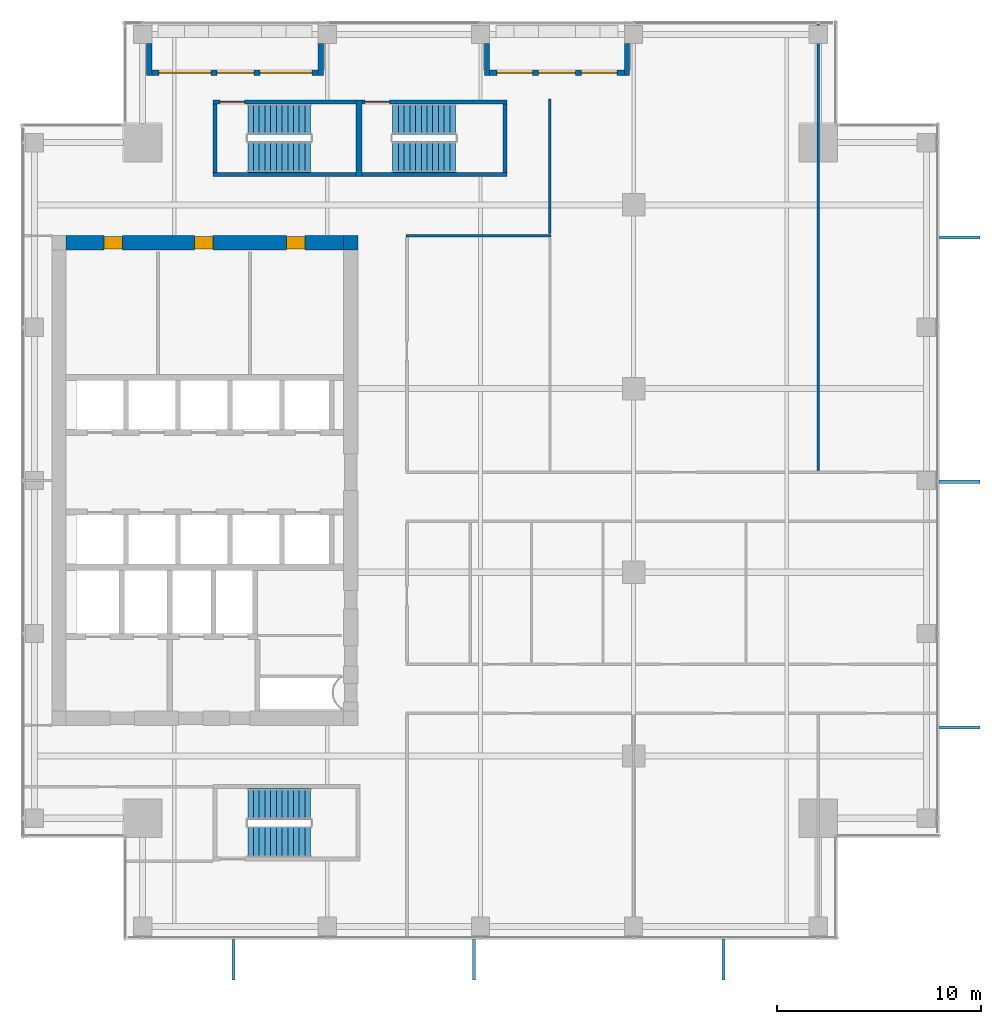
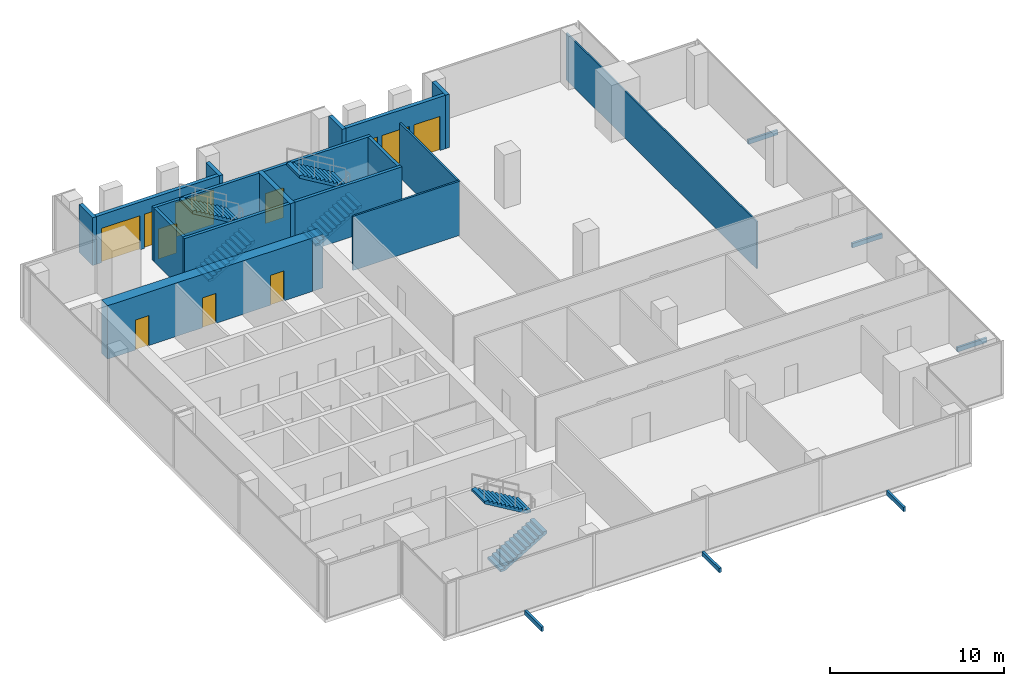
# One storey, part 32 of 34: 18 walls, 7 doors, 6 discrete accessories, 6 stair flights, 4 windows, 11 openings, 3 elements without a shape of their own.
"""IFC4 building model written with IfcOpenShell, lengths in metres."""

from ifc_helpers import new_model, si_unit, direction, frame, frame_2d, origin, origin_2d, place, context, subcontext, project, spatial, polyline, rectangle, outline, extrude, source, transform, mapped, material, layer, layer_set, type_object, element, fill, aggregate, save


model = new_model("IFC4")

# Units and contexts
model_context = context("Model", 3, precision=1e-05, world=origin(), true_north=direction((0.0, 1.0)))
body_context = subcontext(model_context, "Body", "Model", "MODEL_VIEW")
ifc_project = project(units=[si_unit("LENGTHUNIT", "METRE"), si_unit("AREAUNIT", "SQUARE_METRE"), si_unit("VOLUMEUNIT", "CUBIC_METRE"), si_unit("PLANEANGLEUNIT", "RADIAN"), si_unit("MASSUNIT", "GRAM", prefix="KILO")], contexts=[model_context])

# Site, building, storey
site_placement = place(None, origin())
site = spatial("IfcSite", under=ifc_project, at=site_placement, CompositionType="ELEMENT")
building_placement = place(site_placement, origin())
building = spatial("IfcBuilding", under=site, at=building_placement, Name="Khomas Fold Tower", CompositionType="ELEMENT")
storey_placement = place(building_placement, frame((0.0, 0.0, 242.199951171875)))
storey = spatial("IfcBuildingStorey", under=building, at=storey_placement, Name="L54", CompositionType="ELEMENT", Elevation=242.199951171875)

# Wall, opening, door
ifc_material_1 = material(Name="Concrete C50/60", Category="concrete")
ifc_layer_1 = layer(ifc_material_1, 0.199951171875)
ifc_layer_set_1 = layer_set([ifc_layer_1], Name="Concrete C50/60")
wall_type_1 = type_object("IfcWallType", Name="Stair wall 200", PredefinedType="SHEAR", material=ifc_layer_set_1)
shared_shape_1 = source(origin(), body_context, "Body", "SweptSolid", [
    extrude(rectangle(XDim=7.0, YDim=0.199951171875, at=frame_2d((3.5, 0.0))), origin(), (0.0, 0.0, 1.0), 3.75),
])
wall_1_placement = place(storey_placement, frame((13.89990234375, 45.550048828125, 0.0), z_axis=(0.0, 0.0, 1.0), x_axis=(1.0, 0.0, 0.0)))
wall_1 = element("IfcWall", 1, at=wall_1_placement, inside=storey, type_object=wall_type_1, Name="Stair wall SW-ST1-N", PredefinedType="SHEAR", context=body_context, shape_type="MappedRepresentation", body=[
    mapped(shared_shape_1, transform((0.0, 0.0, 0.0))),
])
shared_shape_2 = source(origin(), body_context, "Body", "SweptSolid", [
    extrude(rectangle(XDim=1.199951171875, YDim=2.10009765625, at=frame_2d((0.60009765625, 1.050048828125))), frame((0.0, 0.10986328125, 0.0), z_axis=(0.0, -1.0, 0.0), x_axis=(1.0, 0.0, 0.0)), (0.0, 0.0, 1.0), 0.219970703125),
])
opening_1_placement = place(wall_1_placement, frame((0.35009765625, 0.0, 0.0)))
opening_1 = element("IfcOpeningElement", 2, at=opening_1_placement, cuts=wall_1, Name="Opening SD-ST1", PredefinedType="OPENING", context=body_context, shape_type="MappedRepresentation", body=[
    mapped(shared_shape_2, transform((0.0, 0.0, 0.0))),
])
ifc_material_2 = material(Name="Steel door leaf", Category="steel")
door_type_1 = type_object("IfcDoorType", Name="Stair door 1200x2100 left-hand", OperationType="SINGLE_SWING_LEFT", PredefinedType="DOOR", material=ifc_material_2)
shared_shape_3 = source(origin(), body_context, "Body", "SweptSolid", [
    extrude(rectangle(XDim=1.199951171875, YDim=2.10009765625, at=frame_2d((0.60009765625, 1.050048828125))), frame((0.0, 0.02490234375, 0.0), z_axis=(0.0, -1.0, 0.0), x_axis=(1.0, 0.0, 0.0)), (0.0, 0.0, 1.0), 0.050048828125),
])
door_1_placement = place(opening_1_placement, origin())
door_1 = element("IfcDoor", 3, at=door_1_placement, inside=storey, type_object=door_type_1, Name="Stair door", OperationType="SINGLE_SWING_LEFT", OverallHeight=2.10009765625, OverallWidth=1.199951171875, PredefinedType="DOOR", context=body_context, shape_type="MappedRepresentation", body=[
    mapped(shared_shape_3, transform((0.0, 0.0, 0.0))),
])
fill(opening_1, door_1)

# Wall
wall_2_placement = place(storey_placement, frame((13.89990234375, 42.0, 0.0), z_axis=(0.0, 0.0, 1.0), x_axis=(1.0, 0.0, 0.0)))
element("IfcWall", 4, at=wall_2_placement, inside=storey, type_object=wall_type_1, Name="Stair wall SW-ST1-S", PredefinedType="SHEAR", context=body_context, shape_type="MappedRepresentation", body=[
    mapped(shared_shape_1, transform((0.0, 0.0, 0.0))),
])

# Wall, opening, door
shared_shape_4 = source(origin(), body_context, "Body", "SweptSolid", [
    extrude(rectangle(XDim=7.10009765625, YDim=0.199951171875, at=frame_2d((3.550048828125, 0.0))), origin(), (0.0, 0.0, 1.0), 3.75),
])
wall_3_placement = place(storey_placement, frame((21.199951171875, 45.550048828125, 0.0), z_axis=(0.0, 0.0, 1.0), x_axis=(1.0, 0.0, 0.0)))
wall_3 = element("IfcWall", 5, at=wall_3_placement, inside=storey, type_object=wall_type_1, Name="Stair wall SW-ST3-N", PredefinedType="SHEAR", context=body_context, shape_type="MappedRepresentation", body=[
    mapped(shared_shape_4, transform((0.0, 0.0, 0.0))),
])
opening_2_placement = place(wall_3_placement, frame((0.14990234375, 0.0, 0.0)))
opening_2 = element("IfcOpeningElement", 6, at=opening_2_placement, cuts=wall_3, Name="Opening SD-ST3", PredefinedType="OPENING", context=body_context, shape_type="MappedRepresentation", body=[
    mapped(shared_shape_2, transform((0.0, 0.0, 0.0))),
])
door_2_placement = place(opening_2_placement, origin())
door_2 = element("IfcDoor", 7, at=door_2_placement, inside=storey, type_object=door_type_1, Name="Stair door", OperationType="SINGLE_SWING_LEFT", OverallHeight=2.10009765625, OverallWidth=1.199951171875, PredefinedType="DOOR", context=body_context, shape_type="MappedRepresentation", body=[
    mapped(shared_shape_3, transform((0.0, 0.0, 0.0))),
])
fill(opening_2, door_2)

# Walls
wall_4_placement = place(storey_placement, frame((21.199951171875, 42.0, 0.0), z_axis=(0.0, 0.0, 1.0), x_axis=(1.0, 0.0, 0.0)))
element("IfcWall", 8, at=wall_4_placement, inside=storey, type_object=wall_type_1, Name="Stair wall SW-ST3-S", PredefinedType="SHEAR", context=body_context, shape_type="MappedRepresentation", body=[
    mapped(shared_shape_4, transform((0.0, 0.0, 0.0))),
])
ifc_material_3 = material(Name="Concrete C50/60", Category="concrete")
ifc_layer_2 = layer(ifc_material_3, 0.300048828125)
ifc_layer_set_2 = layer_set([ifc_layer_2], Name="Concrete C50/60")
wall_type_2 = type_object("IfcWallType", Name="Stair wall 300", PredefinedType="SHEAR", material=ifc_layer_set_2)
shared_shape_5 = source(origin(), body_context, "Body", "SweptSolid", [
    extrude(rectangle(XDim=3.75, YDim=0.300048828125, at=frame_2d((1.875, 0.0))), origin(), (0.0, 0.0, 1.0), 3.75),
])
wall_5_placement = place(storey_placement, frame((21.050048828125, 41.89990234375, 0.0), z_axis=(0.0, 0.0, 1.0), x_axis=(0.0, 1.0, 0.0)))
element("IfcWall", 9, at=wall_5_placement, inside=storey, type_object=wall_type_2, Name="Stair wall SW-ST1-E", PredefinedType="SHEAR", context=body_context, shape_type="MappedRepresentation", body=[
    mapped(shared_shape_5, transform((0.0, 0.0, 0.0))),
])
shared_shape_6 = source(origin(), body_context, "Body", "SweptSolid", [
    extrude(rectangle(XDim=3.349853515625, YDim=0.199951171875, at=frame_2d((1.6748046875, 0.0))), origin(), (0.0, 0.0, 1.0), 3.75),
])
for number, where, z_axis, x_axis, name in (
    (10, (14.0, 42.10009765625, 0.0), (0.0, 0.0, 1.0), (0.0, 1.0, 0.0), "Stair wall SW-ST1-W"),
    (11, (28.199951171875, 42.10009765625, 0.0), (0.0, 0.0, 1.0), (0.0, 1.0, 0.0), "Stair wall SW-ST3-E"),
):
    element("IfcWall", number, at=place(storey_placement, frame(where, z_axis=z_axis, x_axis=x_axis)), inside=storey, type_object=wall_type_1, Name=name, PredefinedType="SHEAR", context=body_context, shape_type="MappedRepresentation", body=[
        mapped(shared_shape_6, transform((0.0, 0.0, 0.0))),
    ])

# Wall, openings, doors
ifc_material_4 = material(Name="Concrete C60/75", Category="concrete")
ifc_layer_3 = layer(ifc_material_4, 0.699951171875)
ifc_layer_set_3 = layer_set([ifc_layer_3], Name="Concrete C60/75")
wall_type_3 = type_object("IfcWallType", Name="Core wall 700", PredefinedType="SHEAR", material=ifc_layer_set_3)
shared_shape_7 = source(origin(), body_context, "Body", "SweptSolid", [
    extrude(rectangle(XDim=13.60009765625, YDim=0.699951171875, at=frame_2d((6.800048828125, 0.0))), origin(), (0.0, 0.0, 1.0), 3.75),
])
wall_6_placement = place(storey_placement, frame((6.699951171875, 38.64990234375, 0.0), z_axis=(0.0, 0.0, 1.0), x_axis=(1.0, 0.0, 0.0)))
wall_6 = element("IfcWall", 12, at=wall_6_placement, inside=storey, type_object=wall_type_3, Name="Core wall CW-U-N-L49", PredefinedType="SHEAR", context=body_context, shape_type="MappedRepresentation", body=[
    mapped(shared_shape_7, transform((0.0, 0.0, 0.0))),
])
shared_shape_8 = source(origin(), body_context, "Body", "SweptSolid", [
    extrude(rectangle(XDim=0.89990234375, YDim=2.10009765625, at=frame_2d((0.449951171875, 1.050048828125))), frame((0.0, 0.35986328125, 0.0), z_axis=(0.0, -1.0, 0.0), x_axis=(1.0, 0.0, 0.0)), (0.0, 0.0, 1.0), 0.719970703125),
])
opening_3_placement = place(wall_6_placement, frame((1.85009765625, 0.0, 0.0)))
opening_3 = element("IfcOpeningElement", 13, at=opening_3_placement, cuts=wall_6, Name="Opening 0003", PredefinedType="OPENING", context=body_context, shape_type="MappedRepresentation", body=[
    mapped(shared_shape_8, transform((0.0, 0.0, 0.0))),
])
opening_4_placement = place(wall_6_placement, frame((6.300048828125, 0.0, 0.0)))
opening_4 = element("IfcOpeningElement", 14, at=opening_4_placement, cuts=wall_6, Name="Opening 0003", PredefinedType="OPENING", context=body_context, shape_type="MappedRepresentation", body=[
    mapped(shared_shape_8, transform((0.0, 0.0, 0.0))),
])
opening_5_placement = place(wall_6_placement, frame((10.800048828125, 0.0, 0.0)))
opening_5 = element("IfcOpeningElement", 15, at=opening_5_placement, cuts=wall_6, Name="Opening 0008", PredefinedType="OPENING", context=body_context, shape_type="MappedRepresentation", body=[
    mapped(shared_shape_8, transform((0.0, 0.0, 0.0))),
])
ifc_material_5 = material(Name="Steel door leaf", Category="steel")
door_type_2 = type_object("IfcDoorType", Name="Plant room door 900x2100 right-hand", OperationType="SINGLE_SWING_RIGHT", PredefinedType="DOOR", material=ifc_material_5)
shared_shape_9 = source(origin(), body_context, "Body", "SweptSolid", [
    extrude(rectangle(XDim=0.89990234375, YDim=2.10009765625, at=frame_2d((0.449951171875, 1.050048828125))), frame((0.0, 0.2998046875, 0.0), z_axis=(0.0, -1.0, 0.0), x_axis=(1.0, 0.0, 0.0)), (0.0, 0.0, 1.0), 0.599853515625),
])
door_3_placement = place(opening_3_placement, origin())
door_3 = element("IfcDoor", 16, at=door_3_placement, inside=storey, type_object=door_type_2, Name="Plant room door", OperationType="SINGLE_SWING_RIGHT", OverallHeight=2.10009765625, OverallWidth=0.89990234375, PredefinedType="DOOR", context=body_context, shape_type="MappedRepresentation", body=[
    mapped(shared_shape_9, transform((0.0, 0.0, 0.0))),
])
fill(opening_3, door_3)
door_4_placement = place(opening_4_placement, origin())
door_4 = element("IfcDoor", 17, at=door_4_placement, inside=storey, type_object=door_type_2, Name="Plant room door", OperationType="SINGLE_SWING_RIGHT", OverallHeight=2.10009765625, OverallWidth=0.89990234375, PredefinedType="DOOR", context=body_context, shape_type="MappedRepresentation", body=[
    mapped(shared_shape_9, transform((0.0, 0.0, 0.0))),
])
fill(opening_4, door_4)
ifc_material_6 = material(Name="Timber door leaf", Category="wood")
door_type_3 = type_object("IfcDoorType", Name="Door 900x2100 right-hand", OperationType="SINGLE_SWING_RIGHT", PredefinedType="DOOR", material=ifc_material_6)
door_5_placement = place(opening_5_placement, origin())
door_5 = element("IfcDoor", 18, at=door_5_placement, inside=storey, type_object=door_type_3, Name="Door", OperationType="SINGLE_SWING_RIGHT", OverallHeight=2.10009765625, OverallWidth=0.89990234375, PredefinedType="DOOR", context=body_context, shape_type="MappedRepresentation", body=[
    mapped(shared_shape_9, transform((0.0, 0.0, 0.0))),
])
fill(opening_5, door_5)

# Wall
ifc_material_7 = material(Name="Concrete C60/75", Category="concrete")
ifc_layer_4 = layer(ifc_material_7, 0.699951171875)
ifc_layer_set_4 = layer_set([ifc_layer_4], Name="Concrete C60/75")
wall_type_4 = type_object("IfcWallType", Name="Core corner wall 700", PredefinedType="SHEAR", material=ifc_layer_set_4)
shared_shape_10 = source(origin(), body_context, "Body", "SweptSolid", [
    extrude(rectangle(XDim=0.699951171875, YDim=0.699951171875, at=frame_2d((0.35009765625, 0.0))), origin(), (0.0, 0.0, 1.0), 3.75),
])
wall_7_placement = place(storey_placement, frame((20.300048828125, 38.64990234375, 0.0), z_axis=(0.0, 0.0, 1.0), x_axis=(1.0, 0.0, 0.0)))
element("IfcWall", 19, at=wall_7_placement, inside=storey, type_object=wall_type_4, Name="Core wall CW-U-NE-L49", PredefinedType="SHEAR", context=body_context, shape_type="MappedRepresentation", body=[
    mapped(shared_shape_10, transform((0.0, 0.0, 0.0))),
])

# Wall, openings, door, windows
ifc_material_8 = material(Name="Natural stone", Category="masonry")
ifc_layer_5 = layer(ifc_material_8, 0.0400390625)
ifc_material_9 = material(Name="Mineral wool insulation", Category="insulation")
ifc_layer_6 = layer(ifc_material_9, 0.10009765625)
ifc_material_10 = material(Name="Masonry", Category="masonry")
ifc_layer_7 = layer(ifc_material_10, 0.110107421875)
ifc_layer_set_5 = layer_set([ifc_layer_5, ifc_layer_6, ifc_layer_7], Name="Stone-faced insulated masonry")
wall_type_5 = type_object("IfcWallType", Name="BL-Balcony wall", PredefinedType="SOLIDWALL", material=ifc_layer_set_5)
shared_shape_11 = source(origin(), body_context, "Body", "SweptSolid", [
    extrude(rectangle(XDim=8.150146484375, YDim=0.25, at=frame_2d((4.0751953125, 0.0))), origin(), (0.0, 0.0, 1.0), 3.35009765625),
])
wall_8_placement = place(storey_placement, frame((10.89990234375, 46.97509765625, 0.0), z_axis=(0.0, 0.0, 1.0), x_axis=(1.0, 0.0, 0.0)))
wall_8 = element("IfcWall", 20, at=wall_8_placement, inside=storey, type_object=wall_type_5, Name="Balcony wall BAL-L54-N1", PredefinedType="SOLIDWALL", context=body_context, shape_type="MappedRepresentation", body=[
    mapped(shared_shape_11, transform((0.0, 0.0, 0.0))),
])
shared_shape_12 = source(origin(), body_context, "Body", "SweptSolid", [
    extrude(rectangle(XDim=2.550048828125, YDim=2.39990234375, at=frame_2d((1.27490234375, 1.199951171875))), frame((0.0, 0.135009765625, 0.0), z_axis=(0.0, -1.0, 0.0), x_axis=(1.0, 0.0, 0.0)), (0.0, 0.0, 1.0), 0.27001953125),
])
opening_6_placement = place(wall_8_placement, frame((0.35009765625, 0.0, 0.0)))
opening_6 = element("IfcOpeningElement", 21, at=opening_6_placement, cuts=wall_8, Name="Opening BL-W4", PredefinedType="OPENING", context=body_context, shape_type="MappedRepresentation", body=[
    mapped(shared_shape_12, transform((0.0, 0.0, 0.0))),
])
opening_7_placement = place(wall_8_placement, frame((5.300048828125, 0.0, 0.0)))
opening_7 = element("IfcOpeningElement", 22, at=opening_7_placement, cuts=wall_8, Name="Opening BL-W4", PredefinedType="OPENING", context=body_context, shape_type="MappedRepresentation", body=[
    mapped(shared_shape_12, transform((0.0, 0.0, 0.0))),
])
shared_shape_13 = source(origin(), body_context, "Body", "SweptSolid", [
    extrude(rectangle(XDim=1.800048828125, YDim=2.39990234375, at=frame_2d((0.89990234375, 1.199951171875))), frame((0.0, 0.135009765625, 0.0), z_axis=(0.0, -1.0, 0.0), x_axis=(1.0, 0.0, 0.0)), (0.0, 0.0, 1.0), 0.27001953125),
])
opening_8_placement = place(wall_8_placement, frame((3.199951171875, 0.0, 0.0)))
opening_8 = element("IfcOpeningElement", 23, at=opening_8_placement, cuts=wall_8, Name="Opening BD542", PredefinedType="OPENING", context=body_context, shape_type="MappedRepresentation", body=[
    mapped(shared_shape_13, transform((0.0, 0.0, 0.0))),
])
ifc_material_11 = material(Name="Aluminium framed double glazing", Category="aluminium")
door_type_4 = type_object("IfcDoorType", Name="BL-Glazed balcony door 1800 x 2400", OperationType="DOUBLE_DOOR_DOUBLE_SWING", PredefinedType="DOOR", material=ifc_material_11)
shared_shape_14 = source(origin(), body_context, "Body", "SweptSolid", [
    extrude(rectangle(XDim=1.800048828125, YDim=2.39990234375, at=frame_2d((0.89990234375, 1.199951171875))), frame((0.0, 0.02490234375, 0.0), z_axis=(0.0, -1.0, 0.0), x_axis=(1.0, 0.0, 0.0)), (0.0, 0.0, 1.0), 0.050048828125),
])
door_6_placement = place(opening_8_placement, origin())
door_6 = element("IfcDoor", 24, at=door_6_placement, inside=storey, type_object=door_type_4, Name="Balcony door BD542", OperationType="DOUBLE_DOOR_DOUBLE_SWING", OverallHeight=2.39990234375, OverallWidth=1.800048828125, PredefinedType="DOOR", context=body_context, shape_type="MappedRepresentation", body=[
    mapped(shared_shape_14, transform((0.0, 0.0, 0.0))),
])
fill(opening_8, door_6)
ifc_material_12 = material(Name="Aluminium framed double glazing", Category="aluminium")
window_type_1 = type_object("IfcWindowType", Name="BL-Fixed glazing 2550 x 2400", PartitioningType="SINGLE_PANEL", PredefinedType="WINDOW", material=ifc_material_12)
shared_shape_15 = source(origin(), body_context, "Body", "SweptSolid", [
    extrude(rectangle(XDim=2.550048828125, YDim=2.39990234375, at=frame_2d((1.27490234375, 1.199951171875))), frame((0.0, 0.030029296875, 0.0), z_axis=(0.0, -1.0, 0.0), x_axis=(1.0, 0.0, 0.0)), (0.0, 0.0, 1.0), 0.06005859375),
])
window_1_placement = place(opening_6_placement, origin())
window_1 = element("IfcWindow", 25, at=window_1_placement, inside=storey, type_object=window_type_1, Name="Balcony glazing BAL-L54-N1-1", OverallHeight=2.39990234375, OverallWidth=2.550048828125, PartitioningType="SINGLE_PANEL", PredefinedType="WINDOW", context=body_context, shape_type="MappedRepresentation", body=[
    mapped(shared_shape_15, transform((0.0, 0.0, 0.0))),
])
fill(opening_6, window_1)
window_2_placement = place(opening_7_placement, origin())
window_2 = element("IfcWindow", 26, at=window_2_placement, inside=storey, type_object=window_type_1, Name="Balcony glazing BAL-L54-N1-2", OverallHeight=2.39990234375, OverallWidth=2.550048828125, PartitioningType="SINGLE_PANEL", PredefinedType="WINDOW", context=body_context, shape_type="MappedRepresentation", body=[
    mapped(shared_shape_15, transform((0.0, 0.0, 0.0))),
])
fill(opening_7, window_2)

# Walls
shared_shape_16 = source(origin(), body_context, "Body", "SweptSolid", [
    extrude(rectangle(XDim=1.5498046875, YDim=0.25, at=frame_2d((0.77490234375, 0.0))), origin(), (0.0, 0.0, 1.0), 3.35009765625),
])
for number, where, z_axis, x_axis, name in (
    (27, (10.77490234375, 48.39990234375, 0.0), (0.0, 0.0, 1.0), (0.0, -1.0, 0.0), "Balcony return wall BAL-L54-N1-lo"),
    (28, (19.175048828125, 48.39990234375, 0.0), (0.0, 0.0, 1.0), (0.0, -1.0, 0.0), "Balcony return wall BAL-L54-N1-hi"),
):
    element("IfcWall", number, at=place(storey_placement, frame(where, z_axis=z_axis, x_axis=x_axis)), inside=storey, type_object=wall_type_5, Name=name, PredefinedType="SOLIDWALL", context=body_context, shape_type="MappedRepresentation", body=[
        mapped(shared_shape_16, transform((0.0, 0.0, 0.0))),
    ])

# Wall, openings, door, windows
shared_shape_17 = source(origin(), body_context, "Body", "SweptSolid", [
    extrude(rectangle(XDim=6.60009765625, YDim=0.25, at=frame_2d((3.300048828125, 0.0))), origin(), (0.0, 0.0, 1.0), 3.75),
])
wall_9_placement = place(storey_placement, frame((27.449951171875, 46.97509765625, 0.0), z_axis=(0.0, 0.0, 1.0), x_axis=(1.0, 0.0, 0.0)))
wall_9 = element("IfcWall", 29, at=wall_9_placement, inside=storey, type_object=wall_type_5, Name="Balcony wall BAL-L54-N3", PredefinedType="SOLIDWALL", context=body_context, shape_type="MappedRepresentation", body=[
    mapped(shared_shape_17, transform((0.0, 0.0, 0.0))),
])
shared_shape_18 = source(origin(), body_context, "Body", "SweptSolid", [
    extrude(rectangle(XDim=1.75, YDim=2.39990234375, at=frame_2d((0.875, 1.199951171875))), frame((0.0, 0.135009765625, 0.0), z_axis=(0.0, -1.0, 0.0), x_axis=(1.0, 0.0, 0.0)), (0.0, 0.0, 1.0), 0.27001953125),
])
opening_9_placement = place(wall_9_placement, frame((0.35009765625, 0.0, 0.0)))
opening_9 = element("IfcOpeningElement", 30, at=opening_9_placement, cuts=wall_9, Name="Opening BL-W3", PredefinedType="OPENING", context=body_context, shape_type="MappedRepresentation", body=[
    mapped(shared_shape_18, transform((0.0, 0.0, 0.0))),
])
opening_10_placement = place(wall_9_placement, frame((4.5, 0.0, 0.0)))
opening_10 = element("IfcOpeningElement", 31, at=opening_10_placement, cuts=wall_9, Name="Opening BL-W3", PredefinedType="OPENING", context=body_context, shape_type="MappedRepresentation", body=[
    mapped(shared_shape_18, transform((0.0, 0.0, 0.0))),
])
opening_11_placement = place(wall_9_placement, frame((2.39990234375, 0.0, 0.0)))
opening_11 = element("IfcOpeningElement", 32, at=opening_11_placement, cuts=wall_9, Name="Opening BD541", PredefinedType="OPENING", context=body_context, shape_type="MappedRepresentation", body=[
    mapped(shared_shape_13, transform((0.0, 0.0, 0.0))),
])
door_7_placement = place(opening_11_placement, origin())
door_7 = element("IfcDoor", 33, at=door_7_placement, inside=storey, type_object=door_type_4, Name="Balcony door BD541", OperationType="DOUBLE_DOOR_DOUBLE_SWING", OverallHeight=2.39990234375, OverallWidth=1.800048828125, PredefinedType="DOOR", context=body_context, shape_type="MappedRepresentation", body=[
    mapped(shared_shape_14, transform((0.0, 0.0, 0.0))),
])
fill(opening_11, door_7)
ifc_material_13 = material(Name="Aluminium framed double glazing", Category="aluminium")
window_type_2 = type_object("IfcWindowType", Name="BL-Fixed glazing 1750 x 2400", PartitioningType="SINGLE_PANEL", PredefinedType="WINDOW", material=ifc_material_13)
shared_shape_19 = source(origin(), body_context, "Body", "SweptSolid", [
    extrude(rectangle(XDim=1.75, YDim=2.39990234375, at=frame_2d((0.875, 1.199951171875))), frame((0.0, 0.030029296875, 0.0), z_axis=(0.0, -1.0, 0.0), x_axis=(1.0, 0.0, 0.0)), (0.0, 0.0, 1.0), 0.06005859375),
])
window_3_placement = place(opening_9_placement, origin())
window_3 = element("IfcWindow", 34, at=window_3_placement, inside=storey, type_object=window_type_2, Name="Balcony glazing BAL-L54-N3-1", OverallHeight=2.39990234375, OverallWidth=1.75, PartitioningType="SINGLE_PANEL", PredefinedType="WINDOW", context=body_context, shape_type="MappedRepresentation", body=[
    mapped(shared_shape_19, transform((0.0, 0.0, 0.0))),
])
fill(opening_9, window_3)
window_4_placement = place(opening_10_placement, origin())
window_4 = element("IfcWindow", 35, at=window_4_placement, inside=storey, type_object=window_type_2, Name="Balcony glazing BAL-L54-N3-2", OverallHeight=2.39990234375, OverallWidth=1.75, PartitioningType="SINGLE_PANEL", PredefinedType="WINDOW", context=body_context, shape_type="MappedRepresentation", body=[
    mapped(shared_shape_19, transform((0.0, 0.0, 0.0))),
])
fill(opening_10, window_4)

# Walls
shared_shape_20 = source(origin(), body_context, "Body", "SweptSolid", [
    extrude(rectangle(XDim=1.5498046875, YDim=0.25, at=frame_2d((0.77490234375, 0.0))), origin(), (0.0, 0.0, 1.0), 3.75),
])
for number, where, z_axis, x_axis, name in (
    (36, (27.324951171875, 48.39990234375, 0.0), (0.0, 0.0, 1.0), (0.0, -1.0, 0.0), "Balcony return wall BAL-L54-N3-lo"),
    (37, (34.175048828125, 48.39990234375, 0.0), (0.0, 0.0, 1.0), (0.0, -1.0, 0.0), "Balcony return wall BAL-L54-N3-hi"),
):
    element("IfcWall", number, at=place(storey_placement, frame(where, z_axis=z_axis, x_axis=x_axis)), inside=storey, type_object=wall_type_5, Name=name, PredefinedType="SOLIDWALL", context=body_context, shape_type="MappedRepresentation", body=[
        mapped(shared_shape_20, transform((0.0, 0.0, 0.0))),
    ])
ifc_material_14 = material(Name="Plasterboard partition")
ifc_layer_8 = layer(ifc_material_14, 0.10009765625)
ifc_layer_set_6 = layer_set([ifc_layer_8], Name="Plasterboard partition")
wall_type_6 = type_object("IfcWallType", Name="Partition PW1 100", PredefinedType="PARTITIONING", material=ifc_layer_set_6)
shared_shape_21 = source(origin(), body_context, "Body", "SweptSolid", [
    extrude(rectangle(XDim=21.85009765625, YDim=0.10009765625, at=frame_2d((10.925048828125, 0.0))), origin(), (0.0, 0.0, 1.0), 3.300048828125),
])
wall_10_placement = place(storey_placement, frame((43.550048828125, 27.5, 0.0), z_axis=(0.0, 0.0, 1.0), x_axis=(0.0, 1.0, 0.0)))
element("IfcWall", 38, at=wall_10_placement, inside=storey, type_object=wall_type_6, Name="Partition", PredefinedType="PARTITIONING", context=body_context, shape_type="MappedRepresentation", body=[
    mapped(shared_shape_21, transform((0.0, 0.0, 0.0))),
])
ifc_material_15 = material(Name="Plasterboard partition")
ifc_layer_9 = layer(ifc_material_15, 0.125)
ifc_layer_set_7 = layer_set([ifc_layer_9], Name="Plasterboard partition")
wall_type_7 = type_object("IfcWallType", Name="Partition PW2 125", PredefinedType="PARTITIONING", material=ifc_layer_set_7)
shared_shape_22 = source(origin(), body_context, "Body", "SweptSolid", [
    extrude(rectangle(XDim=7.099853515625, YDim=0.125, at=frame_2d((3.5498046875, 0.0))), origin(), (0.0, 0.0, 1.0), 3.800048828125),
])
wall_11_placement = place(storey_placement, frame((23.35009765625, 39.0, 0.0), z_axis=(0.0, 0.0, 1.0), x_axis=(1.0, 0.0, 0.0)))
element("IfcWall", 39, at=wall_11_placement, inside=storey, type_object=wall_type_7, Name="Partition", PredefinedType="PARTITIONING", context=body_context, shape_type="MappedRepresentation", body=[
    mapped(shared_shape_22, transform((0.0, 0.0, 0.0))),
])
shared_shape_23 = source(origin(), body_context, "Body", "SweptSolid", [
    extrude(rectangle(XDim=6.599853515625, YDim=0.125, at=frame_2d((3.2998046875, 0.0))), origin(), (0.0, 0.0, 1.0), 3.800048828125),
])
wall_12_placement = place(storey_placement, frame((30.39990234375, 39.10009765625, 0.0), z_axis=(0.0, 0.0, 1.0), x_axis=(0.0, 1.0, 0.0)))
element("IfcWall", 40, at=wall_12_placement, inside=storey, type_object=wall_type_7, Name="Partition", PredefinedType="PARTITIONING", context=body_context, shape_type="MappedRepresentation", body=[
    mapped(shared_shape_23, transform((0.0, 0.0, 0.0))),
])

# Stair, stair flights
ifc_material_16 = material(Name="Concrete C40/50", Category="concrete")
stair_type_1 = type_object("IfcStairType", Name="Stair ST1", PredefinedType="HALF_TURN_STAIR", material=ifc_material_16)
stair_1_placement = place(storey_placement, origin())
stair_1 = element("IfcStair", 41, at=stair_1_placement, inside=storey, type_object=stair_type_1, Name="L54 ST1", PredefinedType="HALF_TURN_STAIR")
ifc_material_17 = material(Name="Concrete C40/50", Category="concrete")
stair_flight_type_1 = type_object("IfcStairFlightType", Name="Stair flight 1500 ST1", PredefinedType="STRAIGHT", material=ifc_material_17)
shared_shape_24 = source(origin(), body_context, "Body", "SweptSolid", [
    extrude(outline(polyline([(0.0, 0.0), (0.0, 0.012939453125), (0.0, 0.025634765625), (0.0, 0.03857421875), (0.0, 0.05126953125), (0.0, 0.064208984375), (0.0, 0.076904296875), (0.0, 0.08984375), (0.0, 0.1025390625), (0.0, 0.115478515625), (0.0, 0.128173828125), (0.0, 0.14111328125), (0.0, 0.15380859375), (0.0, 0.166748046875), (0.280029296875, 0.166748046875), (0.280029296875, 0.333251953125), (0.56005859375, 0.333251953125), (0.56005859375, 0.5), (0.840087890625, 0.5), (0.840087890625, 0.666748046875), (1.1201171875, 0.666748046875), (1.1201171875, 0.833251953125), (1.39990234375, 0.833251953125), (1.39990234375, 1.0), (1.679931640625, 1.0), (1.679931640625, 1.166748046875), (1.9599609375, 1.166748046875), (1.9599609375, 1.333251953125), (2.239990234375, 1.333251953125), (2.239990234375, 1.5), (2.52001953125, 1.5), (2.52001953125, 1.666748046875), (2.800048828125, 1.666748046875), (2.800048828125, 1.833251953125), (3.080078125, 1.833251953125), (3.080078125, 2.0), (3.080078125, 1.973876953125), (3.080078125, 1.947509765625), (3.080078125, 1.92138671875), (3.080078125, 1.89501953125), (3.080078125, 1.868896484375), (3.080078125, 1.842529296875), (3.080078125, 1.81640625), (3.080078125, 1.7900390625), (3.080078125, 1.763916015625), (3.080078125, 1.737548828125), (3.080078125, 1.71142578125), (3.080078125, 1.68505859375), (3.080078125, 1.658935546875), (0.29296875, 0.0), (0.0, 0.0)])), frame((0.0, 0.75, 0.0), z_axis=(0.0, -1.0, 0.0), x_axis=(1.0, 0.0, 0.0)), (0.0, 0.0, 1.0), 1.5),
])
stair_flight_1_placement = place(storey_placement, frame((15.60009765625, 42.85009765625, 0.0), z_axis=(0.0, 0.0, 1.0), x_axis=(1.0, 0.0, 0.0)))
stair_flight_1 = element("IfcStairFlight", 42, at=stair_flight_1_placement, type_object=stair_flight_type_1, Name="ST1 flight 1", NumberOfRisers=12, NumberOfTreads=11, PredefinedType="STRAIGHT", RiserHeight=0.166666667, TreadLength=0.28, context=body_context, shape_type="MappedRepresentation", body=[
    mapped(shared_shape_24, transform((0.0, 0.0, 0.0))),
])
stair_flight_2_placement = place(storey_placement, frame((18.679931640625, 44.699951171875, 2.0), z_axis=(0.0, 0.0, 1.0), x_axis=(-1.0, 0.0, 0.0)))
stair_flight_2 = element("IfcStairFlight", 43, at=stair_flight_2_placement, type_object=stair_flight_type_1, Name="ST1 flight 2", NumberOfRisers=12, NumberOfTreads=11, PredefinedType="STRAIGHT", RiserHeight=0.166666667, TreadLength=0.28, context=body_context, shape_type="MappedRepresentation", body=[
    mapped(shared_shape_24, transform((0.0, 0.0, 0.0))),
])
aggregate(stair_1, [stair_flight_1, stair_flight_2])

ifc_material_18 = material(Name="Concrete C40/50", Category="concrete")
stair_type_2 = type_object("IfcStairType", Name="Stair ST2", PredefinedType="HALF_TURN_STAIR", material=ifc_material_18)
stair_2_placement = place(storey_placement, origin())
stair_2 = element("IfcStair", 44, at=stair_2_placement, inside=storey, type_object=stair_type_2, Name="L54 ST2", PredefinedType="HALF_TURN_STAIR")
ifc_material_19 = material(Name="Concrete C40/50", Category="concrete")
stair_flight_type_2 = type_object("IfcStairFlightType", Name="Stair flight 1500 ST2", PredefinedType="STRAIGHT", material=ifc_material_19)
stair_flight_3_placement = place(storey_placement, frame((15.60009765625, 9.300048828125, 0.0), z_axis=(0.0, 0.0, 1.0), x_axis=(1.0, 0.0, 0.0)))
stair_flight_3 = element("IfcStairFlight", 45, at=stair_flight_3_placement, type_object=stair_flight_type_2, Name="ST2 flight 1", NumberOfRisers=12, NumberOfTreads=11, PredefinedType="STRAIGHT", RiserHeight=0.166666667, TreadLength=0.28, context=body_context, shape_type="MappedRepresentation", body=[
    mapped(shared_shape_24, transform((0.0, 0.0, 0.0))),
])
stair_flight_4_placement = place(storey_placement, frame((18.679931640625, 11.14990234375, 2.0), z_axis=(0.0, 0.0, 1.0), x_axis=(-1.0, 0.0, 0.0)))
stair_flight_4 = element("IfcStairFlight", 46, at=stair_flight_4_placement, type_object=stair_flight_type_2, Name="ST2 flight 2", NumberOfRisers=12, NumberOfTreads=11, PredefinedType="STRAIGHT", RiserHeight=0.166666667, TreadLength=0.28, context=body_context, shape_type="MappedRepresentation", body=[
    mapped(shared_shape_24, transform((0.0, 0.0, 0.0))),
])
aggregate(stair_2, [stair_flight_3, stair_flight_4])

ifc_material_20 = material(Name="Concrete C40/50", Category="concrete")
stair_type_3 = type_object("IfcStairType", Name="Stair ST3", PredefinedType="HALF_TURN_STAIR", material=ifc_material_20)
stair_3_placement = place(storey_placement, origin())
stair_3 = element("IfcStair", 47, at=stair_3_placement, inside=storey, type_object=stair_type_3, Name="L54 ST3", PredefinedType="HALF_TURN_STAIR")
ifc_material_21 = material(Name="Concrete C40/50", Category="concrete")
stair_flight_type_3 = type_object("IfcStairFlightType", Name="Stair flight 1500 ST3", PredefinedType="STRAIGHT", material=ifc_material_21)
stair_flight_5_placement = place(storey_placement, frame((22.699951171875, 42.85009765625, 0.0), z_axis=(0.0, 0.0, 1.0), x_axis=(1.0, 0.0, 0.0)))
stair_flight_5 = element("IfcStairFlight", 48, at=stair_flight_5_placement, type_object=stair_flight_type_3, Name="ST3 flight 1", NumberOfRisers=12, NumberOfTreads=11, PredefinedType="STRAIGHT", RiserHeight=0.166666667, TreadLength=0.28, context=body_context, shape_type="MappedRepresentation", body=[
    mapped(shared_shape_24, transform((0.0, 0.0, 0.0))),
])
stair_flight_6_placement = place(storey_placement, frame((25.780029296875, 44.699951171875, 2.0), z_axis=(0.0, 0.0, 1.0), x_axis=(-1.0, 0.0, 0.0)))
stair_flight_6 = element("IfcStairFlight", 49, at=stair_flight_6_placement, type_object=stair_flight_type_3, Name="ST3 flight 2", NumberOfRisers=12, NumberOfTreads=11, PredefinedType="STRAIGHT", RiserHeight=0.166666667, TreadLength=0.28, context=body_context, shape_type="MappedRepresentation", body=[
    mapped(shared_shape_24, transform((0.0, 0.0, 0.0))),
])
aggregate(stair_3, [stair_flight_5, stair_flight_6])

# Discrete accessories
ifc_material_22 = material(Name="Stainless steel", Category="steel")
discrete_accessory_type = type_object("IfcDiscreteAccessoryType", Name="SK-Stainless steel stone bracket", PredefinedType="BRACKET", material=ifc_material_22)
shared_shape_25 = source(origin(), body_context, "Body", "SweptSolid", [
    extrude(rectangle(XDim=1.974609375, YDim=0.14990234375, at=origin_2d()), origin(), (0.0, 0.0, 1.0), 0.31005859375),
])
for number, where, z_axis, x_axis, name in (
    (50, (14.898193359375, 3.5126953125, -0.25), (0.0, 0.0, 1.0), (0.0, -1.0, 0.0), "Stone bracket L54 SS03-1-2"),
    (51, (26.675048828125, 3.5126953125, -0.25), (0.0, 0.0, 1.0), (0.0, -1.0, 0.0), "Stone bracket L54 SS06-2-2"),
    (52, (38.90234375, 3.5126953125, -0.25), (0.0, 0.0, 1.0), (0.0, -1.0, 0.0), "Stone bracket L54 SS09-3-2"),
    (53, (50.4873046875, 14.898193359375, -0.25), (0.0, 0.0, 1.0), (1.0, 0.0, 0.0), "Stone bracket L54 ES03-1-2"),
    (54, (50.4873046875, 26.935546875, -0.25), (0.0, 0.0, 1.0), (1.0, 0.0, 0.0), "Stone bracket L54 ES06-2-2"),
    (55, (50.4873046875, 38.90234375, -0.25), (0.0, 0.0, 1.0), (1.0, 0.0, 0.0), "Stone bracket L54 ES09-3-2"),
):
    element("IfcDiscreteAccessory", number, at=place(storey_placement, frame(where, z_axis=z_axis, x_axis=x_axis)), inside=storey, type_object=discrete_accessory_type, Name=name, PredefinedType="BRACKET", context=body_context, shape_type="MappedRepresentation", body=[
        mapped(shared_shape_25, transform((0.0, 0.0, 0.0))),
    ])

save(model, "model.ifc")
